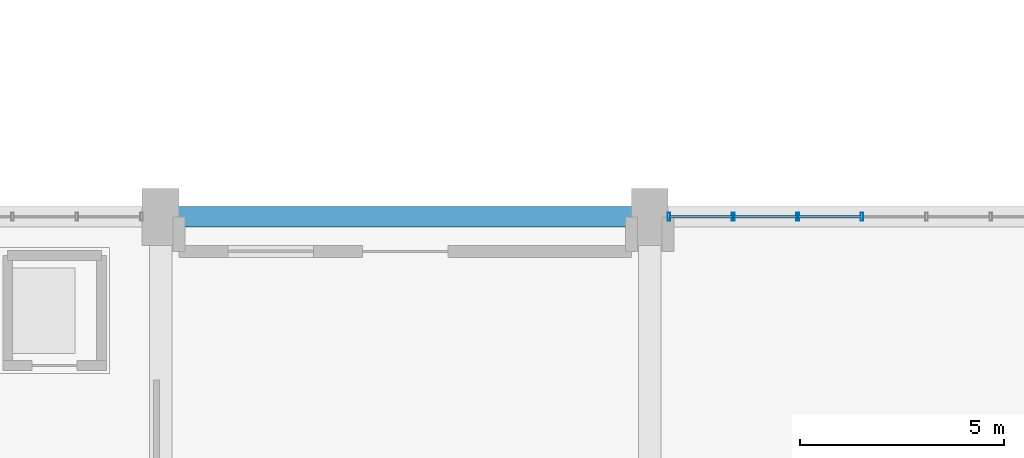
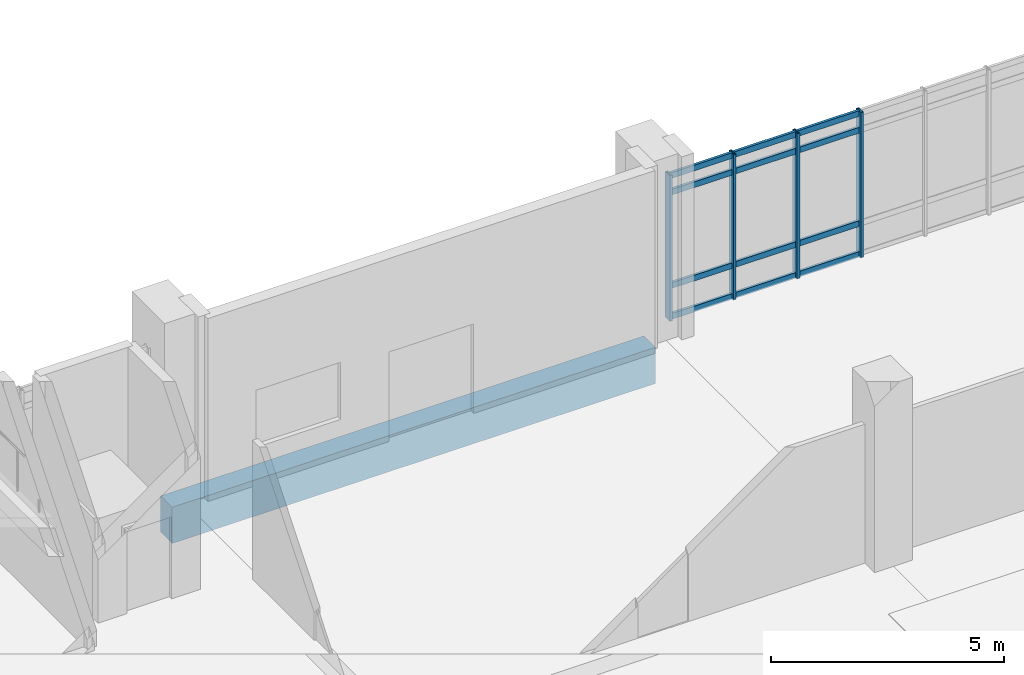
# One storey, part 15 of 87: 16 members, 1 beam, 1 element without a shape of its own.
"""IFC4 building model written with IfcOpenShell, lengths in metres."""

from ifc_helpers import new_model, si_unit, direction, frame, origin, origin_2d, place, context, subcontext, project, spatial, rectangle, hollow_rectangle, extrude, material, layer, layer_set, material_profile, profile_set, type_object, element, aggregate, save


model = new_model("IFC4")

# Units and contexts
model_context = context("Model", 3, precision=1e-05, world=origin(), true_north=direction((0.0, 1.0)))
body_context = subcontext(model_context, "Body", "Model", "MODEL_VIEW")
ifc_project = project(units=[si_unit("LENGTHUNIT", "METRE"), si_unit("AREAUNIT", "SQUARE_METRE"), si_unit("VOLUMEUNIT", "CUBIC_METRE"), si_unit("PLANEANGLEUNIT", "RADIAN"), si_unit("MASSUNIT", "GRAM", prefix="KILO")], contexts=[model_context])

# Site, building, storey
site_placement = place(None, origin())
site = spatial("IfcSite", under=ifc_project, at=site_placement, CompositionType="ELEMENT")
building_placement = place(site_placement, origin())
building = spatial("IfcBuilding", under=site, at=building_placement, Name="Mersad Railyard Sports Hall", CompositionType="ELEMENT")
storey_placement = place(building_placement, origin())
storey = spatial("IfcBuildingStorey", under=building, at=storey_placement, Name="L00", CompositionType="ELEMENT", Elevation=0.0)

# Curtain wall, members
ifc_material_1 = material(Name="Aluminium 6063-T6", Category="aluminium")
ifc_layer = layer(ifc_material_1, 0.199951171875)
ifc_layer_set = layer_set([ifc_layer], Name="Aluminium 6063-T6")
curtain_wall_type = type_object("IfcCurtainWallType", Name="ARC-CW-CW01", PredefinedType="USERDEFINED", material=ifc_layer_set)
curtain_wall_placement = place(storey_placement, origin())
curtain_wall = element("IfcCurtainWall", 1, at=curtain_wall_placement, inside=storey, type_object=curtain_wall_type, Name="Curtain wall CW01-0009", ObjectType="CURTAIN WALL", PredefinedType="USERDEFINED")
ifc_material_profile_1 = material_profile(ifc_material_1, hollow_rectangle(XDim=0.06494140625, YDim=0.199951171875, WallThickness=0.0048828125, at=origin_2d()), Name="AL MULLION 65x200x5")
ifc_profile_set_1 = profile_set([ifc_material_profile_1], Name="Aluminium 6063-T6")
member_type_1 = type_object("IfcMemberType", Name="ARC-CW-MUL02", PredefinedType="MULLION", material=ifc_profile_set_1)
member_1_placement = place(storey_placement, frame((31.469970703125, 53.5, -0.02001953125), z_axis=(0.0, 0.0, 1.0), x_axis=(1.0, 0.0, 0.0)))
member_1 = element("IfcMember", 2, at=member_1_placement, type_object=member_type_1, Name="CW01 Mullion 1", PredefinedType="MULLION", context=body_context, shape_type="SweptSolid", body=[
    extrude(hollow_rectangle(XDim=0.06494140625, YDim=0.199951171875, WallThickness=0.0048828125, at=origin_2d()), origin(), (0.0, 0.0, 1.0), 3.820068359375),
])
member_2_placement = place(storey_placement, frame((33.050048828125, 53.5, -0.02001953125), z_axis=(0.0, 0.0, 1.0), x_axis=(1.0, 0.0, 0.0)))
member_2 = element("IfcMember", 3, at=member_2_placement, type_object=member_type_1, Name="CW01 Mullion 2", PredefinedType="MULLION", context=body_context, shape_type="SweptSolid", body=[
    extrude(hollow_rectangle(XDim=0.06494140625, YDim=0.199951171875, WallThickness=0.0048828125, at=origin_2d()), origin(), (0.0, 0.0, 1.0), 3.820068359375),
])
member_3_placement = place(storey_placement, frame((34.6298828125, 53.5, -0.02001953125), z_axis=(0.0, 0.0, 1.0), x_axis=(1.0, 0.0, 0.0)))
member_3 = element("IfcMember", 4, at=member_3_placement, type_object=member_type_1, Name="CW01 Mullion 3", PredefinedType="MULLION", context=body_context, shape_type="SweptSolid", body=[
    extrude(hollow_rectangle(XDim=0.06494140625, YDim=0.199951171875, WallThickness=0.0048828125, at=origin_2d()), origin(), (0.0, 0.0, 1.0), 3.820068359375),
])
member_4_placement = place(storey_placement, frame((36.2099609375, 53.5, -0.02001953125), z_axis=(0.0, 0.0, 1.0), x_axis=(1.0, 0.0, 0.0)))
member_4 = element("IfcMember", 5, at=member_4_placement, type_object=member_type_1, Name="CW01 Mullion 4", PredefinedType="MULLION", context=body_context, shape_type="SweptSolid", body=[
    extrude(hollow_rectangle(XDim=0.06494140625, YDim=0.199951171875, WallThickness=0.0048828125, at=origin_2d()), origin(), (0.0, 0.0, 1.0), 3.820068359375),
])
ifc_material_profile_2 = material_profile(ifc_material_1, hollow_rectangle(XDim=0.06494140625, YDim=0.14990234375, WallThickness=0.00439453125, at=origin_2d()), Name="AL TRANSOM 65x150x4.5")
ifc_profile_set_2 = profile_set([ifc_material_profile_2], Name="Aluminium 6063-T6")
member_type_2 = type_object("IfcMemberType", Name="ARC-CW-TRN02", PredefinedType="USERDEFINED", material=ifc_profile_set_2)
member_5_placement = place(storey_placement, frame((31.489990234375, 53.5, 0.0400390625), z_axis=(1.0, 0.0, 0.0), x_axis=(0.0, 1.0, 0.0)))
member_5 = element("IfcMember", 6, at=member_5_placement, type_object=member_type_2, Name="CW01 Transom 1-1", ObjectType="TRANSOM", PredefinedType="USERDEFINED", context=body_context, shape_type="SweptSolid", body=[
    extrude(hollow_rectangle(XDim=0.06494140625, YDim=0.14990234375, WallThickness=0.00439453125, at=origin_2d()), origin(), (0.0, 0.0, 1.0), 1.5400390625),
])
member_6_placement = place(storey_placement, frame((33.070068359375, 53.5, 0.0400390625), z_axis=(1.0, 0.0, 0.0), x_axis=(0.0, 1.0, 0.0)))
member_6 = element("IfcMember", 7, at=member_6_placement, type_object=member_type_2, Name="CW01 Transom 1-2", ObjectType="TRANSOM", PredefinedType="USERDEFINED", context=body_context, shape_type="SweptSolid", body=[
    extrude(hollow_rectangle(XDim=0.06494140625, YDim=0.14990234375, WallThickness=0.00439453125, at=origin_2d()), origin(), (0.0, 0.0, 1.0), 1.5400390625),
])
member_7_placement = place(storey_placement, frame((34.64990234375, 53.5, 0.0400390625), z_axis=(1.0, 0.0, 0.0), x_axis=(0.0, 1.0, 0.0)))
member_7 = element("IfcMember", 8, at=member_7_placement, type_object=member_type_2, Name="CW01 Transom 1-3", ObjectType="TRANSOM", PredefinedType="USERDEFINED", context=body_context, shape_type="SweptSolid", body=[
    extrude(hollow_rectangle(XDim=0.06494140625, YDim=0.14990234375, WallThickness=0.00439453125, at=origin_2d()), origin(), (0.0, 0.0, 1.0), 1.5400390625),
])
member_8_placement = place(storey_placement, frame((31.489990234375, 53.5, 0.85009765625), z_axis=(1.0, 0.0, 0.0), x_axis=(0.0, 1.0, 0.0)))
member_8 = element("IfcMember", 9, at=member_8_placement, type_object=member_type_2, Name="CW01 Transom 2-1", ObjectType="TRANSOM", PredefinedType="USERDEFINED", context=body_context, shape_type="SweptSolid", body=[
    extrude(hollow_rectangle(XDim=0.06494140625, YDim=0.14990234375, WallThickness=0.00439453125, at=origin_2d()), origin(), (0.0, 0.0, 1.0), 1.5400390625),
])
member_9_placement = place(storey_placement, frame((33.070068359375, 53.5, 0.85009765625), z_axis=(1.0, 0.0, 0.0), x_axis=(0.0, 1.0, 0.0)))
member_9 = element("IfcMember", 10, at=member_9_placement, type_object=member_type_2, Name="CW01 Transom 2-2", ObjectType="TRANSOM", PredefinedType="USERDEFINED", context=body_context, shape_type="SweptSolid", body=[
    extrude(hollow_rectangle(XDim=0.06494140625, YDim=0.14990234375, WallThickness=0.00439453125, at=origin_2d()), origin(), (0.0, 0.0, 1.0), 1.5400390625),
])
member_10_placement = place(storey_placement, frame((34.64990234375, 53.5, 0.85009765625), z_axis=(1.0, 0.0, 0.0), x_axis=(0.0, 1.0, 0.0)))
member_10 = element("IfcMember", 11, at=member_10_placement, type_object=member_type_2, Name="CW01 Transom 2-3", ObjectType="TRANSOM", PredefinedType="USERDEFINED", context=body_context, shape_type="SweptSolid", body=[
    extrude(hollow_rectangle(XDim=0.06494140625, YDim=0.14990234375, WallThickness=0.00439453125, at=origin_2d()), origin(), (0.0, 0.0, 1.0), 1.5400390625),
])
member_11_placement = place(storey_placement, frame((31.489990234375, 53.5, 3.300048828125), z_axis=(1.0, 0.0, 0.0), x_axis=(0.0, 1.0, 0.0)))
member_11 = element("IfcMember", 12, at=member_11_placement, type_object=member_type_2, Name="CW01 Transom 3-1", ObjectType="TRANSOM", PredefinedType="USERDEFINED", context=body_context, shape_type="SweptSolid", body=[
    extrude(hollow_rectangle(XDim=0.06494140625, YDim=0.14990234375, WallThickness=0.00439453125, at=origin_2d()), origin(), (0.0, 0.0, 1.0), 1.5400390625),
])
member_12_placement = place(storey_placement, frame((33.070068359375, 53.5, 3.300048828125), z_axis=(1.0, 0.0, 0.0), x_axis=(0.0, 1.0, 0.0)))
member_12 = element("IfcMember", 13, at=member_12_placement, type_object=member_type_2, Name="CW01 Transom 3-2", ObjectType="TRANSOM", PredefinedType="USERDEFINED", context=body_context, shape_type="SweptSolid", body=[
    extrude(hollow_rectangle(XDim=0.06494140625, YDim=0.14990234375, WallThickness=0.00439453125, at=origin_2d()), origin(), (0.0, 0.0, 1.0), 1.5400390625),
])
member_13_placement = place(storey_placement, frame((34.64990234375, 53.5, 3.300048828125), z_axis=(1.0, 0.0, 0.0), x_axis=(0.0, 1.0, 0.0)))
member_13 = element("IfcMember", 14, at=member_13_placement, type_object=member_type_2, Name="CW01 Transom 3-3", ObjectType="TRANSOM", PredefinedType="USERDEFINED", context=body_context, shape_type="SweptSolid", body=[
    extrude(hollow_rectangle(XDim=0.06494140625, YDim=0.14990234375, WallThickness=0.00439453125, at=origin_2d()), origin(), (0.0, 0.0, 1.0), 1.5400390625),
])
member_14_placement = place(storey_placement, frame((31.489990234375, 53.5, 3.739990234375), z_axis=(1.0, 0.0, 0.0), x_axis=(0.0, 1.0, 0.0)))
member_14 = element("IfcMember", 15, at=member_14_placement, type_object=member_type_2, Name="CW01 Transom 4-1", ObjectType="TRANSOM", PredefinedType="USERDEFINED", context=body_context, shape_type="SweptSolid", body=[
    extrude(hollow_rectangle(XDim=0.06494140625, YDim=0.14990234375, WallThickness=0.00439453125, at=origin_2d()), origin(), (0.0, 0.0, 1.0), 1.5400390625),
])
member_15_placement = place(storey_placement, frame((33.070068359375, 53.5, 3.739990234375), z_axis=(1.0, 0.0, 0.0), x_axis=(0.0, 1.0, 0.0)))
member_15 = element("IfcMember", 16, at=member_15_placement, type_object=member_type_2, Name="CW01 Transom 4-2", ObjectType="TRANSOM", PredefinedType="USERDEFINED", context=body_context, shape_type="SweptSolid", body=[
    extrude(hollow_rectangle(XDim=0.06494140625, YDim=0.14990234375, WallThickness=0.00439453125, at=origin_2d()), origin(), (0.0, 0.0, 1.0), 1.5400390625),
])
member_16_placement = place(storey_placement, frame((34.64990234375, 53.5, 3.739990234375), z_axis=(1.0, 0.0, 0.0), x_axis=(0.0, 1.0, 0.0)))
member_16 = element("IfcMember", 17, at=member_16_placement, type_object=member_type_2, Name="CW01 Transom 4-3", ObjectType="TRANSOM", PredefinedType="USERDEFINED", context=body_context, shape_type="SweptSolid", body=[
    extrude(hollow_rectangle(XDim=0.06494140625, YDim=0.14990234375, WallThickness=0.00439453125, at=origin_2d()), origin(), (0.0, 0.0, 1.0), 1.5400390625),
])
aggregate(curtain_wall, [member_1, member_2, member_3, member_4, member_5, member_6, member_7, member_8, member_9, member_10, member_11, member_12, member_13, member_14, member_15, member_16])

# Beam
ifc_material_2 = material(Name="Concrete C50/60", Category="concrete")
ifc_material_profile_3 = material_profile(ifc_material_2, rectangle(XDim=0.5, YDim=0.949951171875, at=origin_2d()), Name="RC 500x950")
ifc_profile_set_3 = profile_set([ifc_material_profile_3], Name="Concrete C50/60")
beam_type = type_object("IfcBeamType", Name="STR-BM-B03", PredefinedType="BEAM", material=ifc_profile_set_3)
beam_placement = place(storey_placement, frame((19.0, 53.5, -0.925048828125), z_axis=(1.0, 0.0, 0.0), x_axis=(0.0, 1.0, 0.0)))
element("IfcBeam", 18, at=beam_placement, inside=storey, type_object=beam_type, Name="Beam B03-0023", PredefinedType="BEAM", context=body_context, shape_type="SweptSolid", body=[
    extrude(rectangle(XDim=0.5, YDim=0.949951171875, at=origin_2d()), origin(), (0.0, 0.0, 1.0), 12.0),
])

save(model, "model.ifc")
